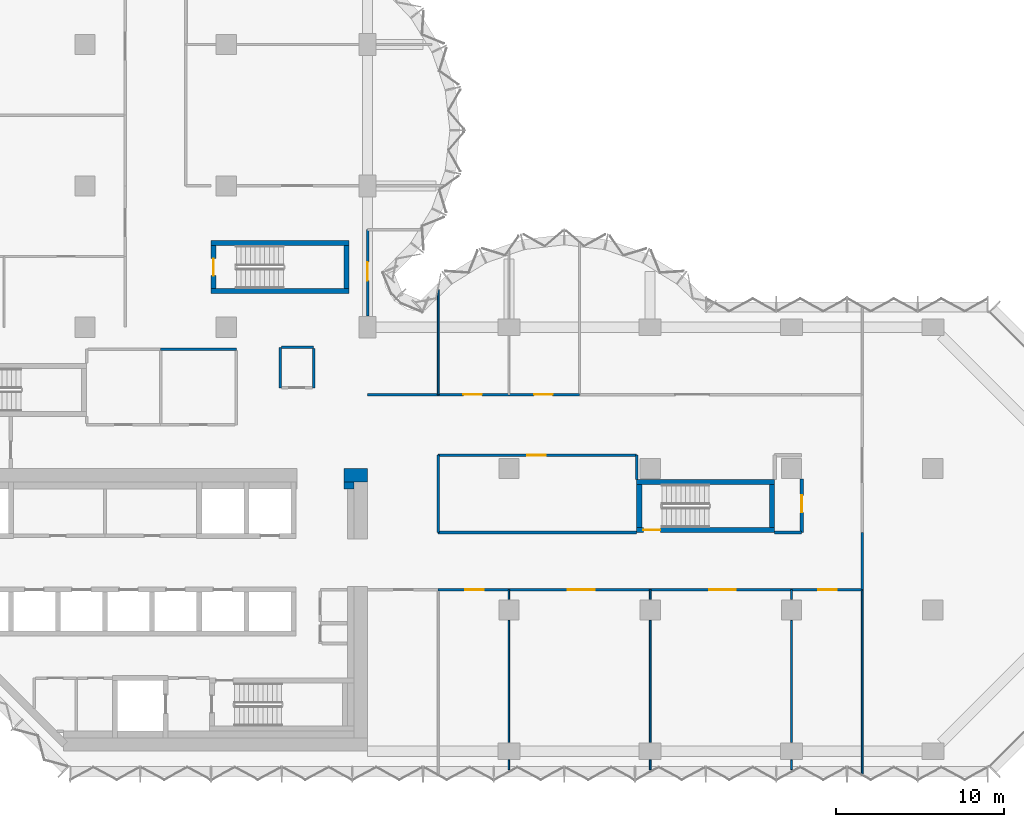
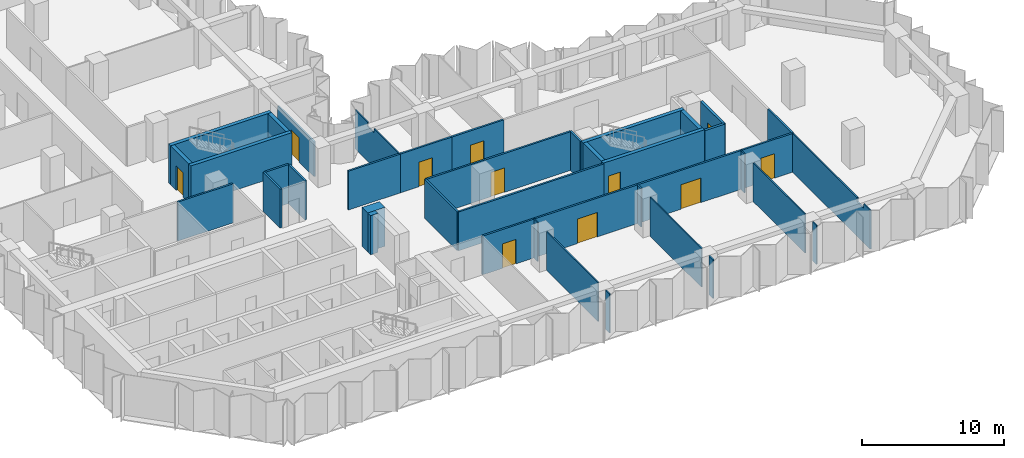
# One storey, part 9 of 13: 40 walls, 11 doors, 11 openings.
"""IFC4 building model written with IfcOpenShell, lengths in metres."""

from ifc_helpers import new_model, si_unit, direction, frame, frame_2d, origin, place, context, subcontext, project, spatial, polyline, rectangle, outline, extrude, material, layer, layer_set, type_object, element, fill, save


model = new_model("IFC4")

# Units and contexts
model_context = context("Model", 3, precision=1e-05, world=origin(), true_north=direction((0.0, 1.0)))
body_context = subcontext(model_context, "Body", "Model", "MODEL_VIEW")
ifc_project = project(units=[si_unit("LENGTHUNIT", "METRE"), si_unit("AREAUNIT", "SQUARE_METRE"), si_unit("VOLUMEUNIT", "CUBIC_METRE"), si_unit("PLANEANGLEUNIT", "RADIAN"), si_unit("MASSUNIT", "GRAM", prefix="KILO")], contexts=[model_context])

# Site, building, storey
site_placement = place(None, origin())
site = spatial("IfcSite", under=ifc_project, at=site_placement, CompositionType="ELEMENT")
building_placement = place(site_placement, origin())
building = spatial("IfcBuilding", under=site, at=building_placement, Name="Brevane Broadcast Tower", CompositionType="ELEMENT")
storey_placement = place(building_placement, frame((0.0, 0.0, 116.89990234375)))
storey = spatial("IfcBuildingStorey", under=building, at=storey_placement, Name="L28", CompositionType="ELEMENT", Elevation=116.89990234375)

# Walls
ifc_material_1 = material(Name="Concrete C32/40", Category="concrete")
ifc_layer_1 = layer(ifc_material_1, 0.39990234375)
ifc_layer_set_1 = layer_set([ifc_layer_1], Name="Core chase wall 400 mm")
wall_type_1 = type_object("IfcWallType", Name="Core chase wall 400 mm", PredefinedType="PARTITIONING", material=ifc_layer_set_1)
wall_1_placement = place(storey_placement, frame((23.800048828125, 15.800048828125, 0.0), z_axis=(0.0, 0.0, 1.0), x_axis=(1.0, 0.0, 0.0)))
element("IfcWall", 1, at=wall_1_placement, inside=storey, type_object=wall_type_1, Name="L28 chase wall LN2", PredefinedType="PARTITIONING", context=body_context, shape_type="SweptSolid", body=[
    extrude(rectangle(XDim=0.599853515625, YDim=0.39990234375, at=frame_2d((0.2998046875, 0.0))), origin(), (0.0, 0.0, 1.0), 3.35009765625),
])
ifc_material_2 = material(Name="Gypsum board on steel studs", Category="steel")
ifc_layer_2 = layer(ifc_material_2, 0.14990234375)
ifc_layer_set_2 = layer_set([ifc_layer_2], Name="Core fire partition 150 mm")
wall_type_2 = type_object("IfcWallType", Name="Core fire partition 150 mm", PredefinedType="PARTITIONING", material=ifc_layer_set_2)
wall_2_placement = place(storey_placement, frame((12.89990234375, 23.89990234375, 0.0), z_axis=(0.0, 0.0, 1.0), x_axis=(1.0, 0.0, 0.0)))
element("IfcWall", 2, at=wall_2_placement, inside=storey, type_object=wall_type_2, Name="L28 partition wall P19", PredefinedType="PARTITIONING", context=body_context, shape_type="SweptSolid", body=[
    extrude(rectangle(XDim=4.5, YDim=0.14990234375, at=frame_2d((2.25, 0.0))), origin(), (0.0, 0.0, 1.0), 3.35009765625),
])
wall_3_placement = place(storey_placement, frame((20.0, 21.60009765625, 0.0), z_axis=(0.0, 0.0, 1.0), x_axis=(0.0, 1.0, 0.0)))
element("IfcWall", 3, at=wall_3_placement, inside=storey, type_object=wall_type_2, Name="L28 partition wall P25", PredefinedType="PARTITIONING", context=body_context, shape_type="SweptSolid", body=[
    extrude(rectangle(XDim=2.39990234375, YDim=0.14990234375, at=frame_2d((1.199951171875, 0.0))), origin(), (0.0, 0.0, 1.0), 3.35009765625),
])
wall_4_placement = place(storey_placement, frame((20.074951171875, 24.0, 0.0), z_axis=(0.0, 0.0, 1.0), x_axis=(1.0, 0.0, 0.0)))
element("IfcWall", 4, at=wall_4_placement, inside=storey, type_object=wall_type_2, Name="L28 partition wall P26", PredefinedType="PARTITIONING", context=body_context, shape_type="SweptSolid", body=[
    extrude(rectangle(XDim=1.925048828125, YDim=0.14990234375, at=frame_2d((0.96240234375, 0.0))), origin(), (0.0, 0.0, 1.0), 3.35009765625),
])
wall_5_placement = place(storey_placement, frame((22.0, 23.925048828125, 0.0), z_axis=(0.0, 0.0, 1.0), x_axis=(0.0, -1.0, 0.0)))
element("IfcWall", 5, at=wall_5_placement, inside=storey, type_object=wall_type_2, Name="L28 partition wall P27", PredefinedType="PARTITIONING", context=body_context, shape_type="SweptSolid", body=[
    extrude(rectangle(XDim=2.324951171875, YDim=0.14990234375, at=frame_2d((1.16259765625, 0.0))), origin(), (0.0, 0.0, 1.0), 3.35009765625),
])
ifc_material_3 = material(Name="Concrete C60/75", Category="concrete")
ifc_layer_3 = layer(ifc_material_3, 0.300048828125)
ifc_layer_set_3 = layer_set([ifc_layer_3], Name="Core wall 300 mm C60/75")
wall_type_3 = type_object("IfcWallType", Name="Core wall 300 mm C60/75", PredefinedType="SHEAR", material=ifc_layer_set_3)
for number, where, z_axis, x_axis, name in (
    (6, (15.89990234375, 27.35009765625, 0.0), (0.0, 0.0, 1.0), (1.0, 0.0, 0.0), "L28 stair wall ST-3-S"),
    (7, (15.89990234375, 30.199951171875, 0.0), (0.0, 0.0, 1.0), (1.0, 0.0, 0.0), "L28 stair wall ST-3-N"),
):
    element("IfcWall", number, at=place(storey_placement, frame(where, z_axis=z_axis, x_axis=x_axis)), inside=storey, type_object=wall_type_3, Name=name, PredefinedType="SHEAR", context=body_context, shape_type="SweptSolid", body=[
        extrude(rectangle(XDim=8.2001953125, YDim=0.300048828125, at=frame_2d((4.10009765625, 0.0))), origin(), (0.0, 0.0, 1.0), 3.35009765625),
    ])

# Wall, opening, door
wall_6_placement = place(storey_placement, frame((16.050048828125, 27.5, 0.0), z_axis=(0.0, 0.0, 1.0), x_axis=(0.0, 1.0, 0.0)))
wall_6 = element("IfcWall", 8, at=wall_6_placement, inside=storey, type_object=wall_type_3, Name="L28 stair wall ST-3-W", PredefinedType="SHEAR", context=body_context, shape_type="SweptSolid", body=[
    extrude(rectangle(XDim=2.550048828125, YDim=0.300048828125, at=frame_2d((1.27490234375, 0.0))), origin(), (0.0, 0.0, 1.0), 3.35009765625),
])
opening_1_placement = place(wall_6_placement, frame((0.77490234375, 0.0, 0.0)))
opening_1 = element("IfcOpeningElement", 9, at=opening_1_placement, cuts=wall_6, Name="Opening L28-K14", PredefinedType="OPENING", context=body_context, shape_type="SweptSolid", body=[
    extrude(rectangle(XDim=1.0, YDim=2.10009765625, at=frame_2d((0.5, 1.050048828125))), frame((0.0, 0.159912109375, 0.0), z_axis=(0.0, -1.0, 0.0), x_axis=(1.0, 0.0, 0.0)), (0.0, 0.0, 1.0), 0.320068359375),
])
ifc_material_4 = material(Name="Steel", Category="steel")
door_type_1 = type_object("IfcDoorType", Name="Stair door 1000 x 2100", OperationType="SINGLE_SWING_LEFT", PredefinedType="DOOR", material=ifc_material_4)
door_1_placement = place(opening_1_placement, origin())
door_1 = element("IfcDoor", 10, at=door_1_placement, inside=storey, type_object=door_type_1, Name="Door L28-K14", OperationType="SINGLE_SWING_RIGHT", OverallHeight=2.10009765625, OverallWidth=1.0, PredefinedType="DOOR", context=body_context, shape_type="SweptSolid", body=[
    extrude(rectangle(XDim=1.0, YDim=2.10009765625, at=frame_2d((0.5, 1.050048828125))), frame((0.0, 0.02490234375, 0.0), z_axis=(0.0, -1.0, 0.0), x_axis=(1.0, 0.0, 0.0)), (0.0, 0.0, 1.0), 0.050048828125),
])
fill(opening_1, door_1)

# Wall
wall_7_placement = place(storey_placement, frame((23.949951171875, 27.5, 0.0), z_axis=(0.0, 0.0, 1.0), x_axis=(0.0, 1.0, 0.0)))
element("IfcWall", 11, at=wall_7_placement, inside=storey, type_object=wall_type_3, Name="L28 stair wall ST-3-E", PredefinedType="SHEAR", context=body_context, shape_type="SweptSolid", body=[
    extrude(rectangle(XDim=2.550048828125, YDim=0.300048828125, at=frame_2d((1.27490234375, 0.0))), origin(), (0.0, 0.0, 1.0), 3.35009765625),
])

# Wall, opening, door
wall_8_placement = place(storey_placement, frame((49.39990234375, 13.14990234375, 0.0), z_axis=(0.0, 0.0, 1.0), x_axis=(-1.0, 0.0, 0.0)))
wall_8 = element("IfcWall", 12, at=wall_8_placement, inside=storey, type_object=wall_type_3, Name="L28 stair wall ST-4-S", PredefinedType="SHEAR", context=body_context, shape_type="SweptSolid", body=[
    extrude(rectangle(XDim=8.199951171875, YDim=0.300048828125, at=frame_2d((4.10009765625, 0.0))), origin(), (0.0, 0.0, 1.0), 3.35009765625),
])
opening_2_placement = place(wall_8_placement, frame((6.800048828125, 0.0, 0.0)))
opening_2 = element("IfcOpeningElement", 13, at=opening_2_placement, cuts=wall_8, Name="Opening L28-K15", PredefinedType="OPENING", context=body_context, shape_type="SweptSolid", body=[
    extrude(rectangle(XDim=1.0, YDim=2.10009765625, at=frame_2d((0.5, 1.050048828125))), frame((0.0, 0.159912109375, 0.0), z_axis=(0.0, -1.0, 0.0), x_axis=(1.0, 0.0, 0.0)), (0.0, 0.0, 1.0), 0.320068359375),
])
door_2_placement = place(opening_2_placement, origin())
door_2 = element("IfcDoor", 14, at=door_2_placement, inside=storey, type_object=door_type_1, Name="Door L28-K15", OperationType="SINGLE_SWING_LEFT", OverallHeight=2.10009765625, OverallWidth=1.0, PredefinedType="DOOR", context=body_context, shape_type="SweptSolid", body=[
    extrude(rectangle(XDim=1.0, YDim=2.10009765625, at=frame_2d((0.5, 1.050048828125))), frame((0.0, 0.02490234375, 0.0), z_axis=(0.0, -1.0, 0.0), x_axis=(1.0, 0.0, 0.0)), (0.0, 0.0, 1.0), 0.050048828125),
])
fill(opening_2, door_2)

# Walls
wall_9_placement = place(storey_placement, frame((41.199951171875, 16.0, 0.0), z_axis=(0.0, 0.0, 1.0), x_axis=(1.0, 0.0, 0.0)))
element("IfcWall", 15, at=wall_9_placement, inside=storey, type_object=wall_type_3, Name="L28 stair wall ST-4-N", PredefinedType="SHEAR", context=body_context, shape_type="SweptSolid", body=[
    extrude(rectangle(XDim=8.199951171875, YDim=0.300048828125, at=frame_2d((4.10009765625, 0.0))), origin(), (0.0, 0.0, 1.0), 3.35009765625),
])
for number, where, z_axis, x_axis, name in (
    (16, (41.35009765625, 13.300048828125, 0.0), (0.0, 0.0, 1.0), (0.0, 1.0, 0.0), "L28 stair wall ST-4-W"),
    (17, (49.25, 13.300048828125, 0.0), (0.0, 0.0, 1.0), (0.0, 1.0, 0.0), "L28 stair wall ST-4-E"),
):
    element("IfcWall", number, at=place(storey_placement, frame(where, z_axis=z_axis, x_axis=x_axis)), inside=storey, type_object=wall_type_3, Name=name, PredefinedType="SHEAR", context=body_context, shape_type="SweptSolid", body=[
        extrude(rectangle(XDim=2.550048828125, YDim=0.300048828125, at=frame_2d((1.27490234375, 0.0))), origin(), (0.0, 0.0, 1.0), 3.35009765625),
    ])
ifc_layer_4 = layer(ifc_material_3, 0.800048828125)
ifc_layer_set_4 = layer_set([ifc_layer_4], Name="Core wall 800 mm C60/75")
wall_type_4 = type_object("IfcWallType", Name="Core wall 800 mm C60/75", PredefinedType="SHEAR", material=ifc_layer_set_4)
wall_10_placement = place(storey_placement, frame((23.800048828125, 16.39990234375, 0.0), z_axis=(0.0, 0.0, 1.0), x_axis=(1.0, 0.0, 0.0)))
element("IfcWall", 18, at=wall_10_placement, inside=storey, type_object=wall_type_4, Name="L28 outer wall WN2", PredefinedType="SHEAR", context=body_context, shape_type="SweptSolid", body=[
    extrude(rectangle(XDim=1.39990234375, YDim=0.800048828125, at=frame_2d((0.699951171875, 0.0))), origin(), (0.0, 0.0, 1.0), 3.35009765625),
])
ifc_material_5 = material(Name="Gypsum board partition")
ifc_layer_5 = layer(ifc_material_5, 0.10009765625)
ifc_layer_set_5 = layer_set([ifc_layer_5], Name="PARTITION 100 STUD")
wall_type_5 = type_object("IfcWallType", Name="PARTITION 100 STUD", PredefinedType="PARTITIONING", material=ifc_layer_set_5)
wall_11_placement = place(storey_placement, frame((29.39990234375, 27.428955078125, 0.0), z_axis=(0.0, 0.0, 1.0), x_axis=(0.0, -1.0, 0.0)))
element("IfcWall", 19, at=wall_11_placement, inside=storey, type_object=wall_type_5, Name="Partition G08-004", PredefinedType="PARTITIONING", context=body_context, shape_type="SweptSolid", body=[
    extrude(outline(polyline([(0.0, 0.0), (6.22900390625, 0.0), (6.22900390625, 3.330078125), (2.678955078125, 3.330078125), (2.677001953125, 2.97998046875), (1.781005859375, 2.97998046875), (1.779052734375, 3.330078125), (0.154052734375, 3.330078125), (0.0, 3.330078125), (0.0, 0.0)])), frame((0.0, 0.050048828125, 0.0), z_axis=(0.0, -1.0, 0.0), x_axis=(1.0, 0.0, 0.0)), (0.0, 0.0, 1.0), 0.10009765625),
])
wall_12_placement = place(storey_placement, frame((54.60009765625, -1.364990234375, 0.0), z_axis=(0.0, 0.0, 1.0), x_axis=(0.0, 1.0, 0.0)))
element("IfcWall", 20, at=wall_12_placement, inside=storey, type_object=wall_type_5, Name="Partition G08-015", PredefinedType="PARTITIONING", context=body_context, shape_type="SweptSolid", body=[
    extrude(outline(polyline([(0.0, 0.0), (10.965087890625, 0.0), (10.965087890625, 3.330078125), (1.81494140625, 3.330078125), (1.81298828125, 2.97998046875), (0.9169921875, 2.97998046875), (0.9150390625, 3.330078125), (0.264892578125, 3.330078125), (0.0, 3.330078125), (0.0, 0.0)])), frame((0.0, 0.050048828125, 0.0), z_axis=(0.0, -1.0, 0.0), x_axis=(1.0, 0.0, 0.0)), (0.0, 0.0, 1.0), 0.10009765625),
])
wall_13_placement = place(storey_placement, frame((33.60009765625, 9.60009765625, 0.0), z_axis=(0.0, 0.0, 1.0), x_axis=(0.0, -1.0, 0.0)))
element("IfcWall", 21, at=wall_13_placement, inside=storey, type_object=wall_type_5, Name="Partition G08-027", PredefinedType="PARTITIONING", context=body_context, shape_type="SweptSolid", body=[
    extrude(rectangle(XDim=0.580078125, YDim=0.10009765625, at=frame_2d((0.2900390625, 0.0))), origin(), (0.0, 0.0, 1.0), 3.330078125),
])
wall_14_placement = place(storey_placement, frame((33.60009765625, 7.780029296875, 0.0), z_axis=(0.0, 0.0, 1.0), x_axis=(0.0, -1.0, 0.0)))
element("IfcWall", 22, at=wall_14_placement, inside=storey, type_object=wall_type_5, Name="Partition G08-028", PredefinedType="PARTITIONING", context=body_context, shape_type="SweptSolid", body=[
    extrude(rectangle(XDim=7.260009765625, YDim=0.10009765625, at=frame_2d((3.6298828125, 0.0))), origin(), (0.0, 0.0, 1.0), 3.330078125),
])
for number, where, z_axis, x_axis, name in (
    (23, (33.60009765625, -0.52001953125, 0.0), (0.0, 0.0, 1.0), (0.0, -1.0, 0.0), "Partition G08-029"),
    (24, (42.0, 9.60009765625, 0.0), (0.0, 0.0, 1.0), (0.0, -1.0, 0.0), "Partition G08-030"),
):
    element("IfcWall", number, at=place(storey_placement, frame(where, z_axis=z_axis, x_axis=x_axis)), inside=storey, type_object=wall_type_5, Name=name, PredefinedType="PARTITIONING", context=body_context, shape_type="SweptSolid", body=[
        extrude(rectangle(XDim=0.580078125, YDim=0.10009765625, at=frame_2d((0.2900390625, 0.0))), origin(), (0.0, 0.0, 1.0), 3.330078125),
    ])
wall_15_placement = place(storey_placement, frame((42.0, 7.780029296875, 0.0), z_axis=(0.0, 0.0, 1.0), x_axis=(0.0, -1.0, 0.0)))
element("IfcWall", 25, at=wall_15_placement, inside=storey, type_object=wall_type_5, Name="Partition G08-031", PredefinedType="PARTITIONING", context=body_context, shape_type="SweptSolid", body=[
    extrude(rectangle(XDim=7.260009765625, YDim=0.10009765625, at=frame_2d((3.6298828125, 0.0))), origin(), (0.0, 0.0, 1.0), 3.330078125),
])
for number, where, z_axis, x_axis, name in (
    (26, (42.0, -0.52001953125, 0.0), (0.0, 0.0, 1.0), (0.0, -1.0, 0.0), "Partition G08-032"),
    (27, (50.39990234375, 9.60009765625, 0.0), (0.0, 0.0, 1.0), (0.0, -1.0, 0.0), "Partition G08-033"),
):
    element("IfcWall", number, at=place(storey_placement, frame(where, z_axis=z_axis, x_axis=x_axis)), inside=storey, type_object=wall_type_5, Name=name, PredefinedType="PARTITIONING", context=body_context, shape_type="SweptSolid", body=[
        extrude(rectangle(XDim=0.580078125, YDim=0.10009765625, at=frame_2d((0.2900390625, 0.0))), origin(), (0.0, 0.0, 1.0), 3.330078125),
    ])
wall_16_placement = place(storey_placement, frame((50.39990234375, 7.780029296875, 0.0), z_axis=(0.0, 0.0, 1.0), x_axis=(0.0, -1.0, 0.0)))
element("IfcWall", 28, at=wall_16_placement, inside=storey, type_object=wall_type_5, Name="Partition G08-034", PredefinedType="PARTITIONING", context=body_context, shape_type="SweptSolid", body=[
    extrude(rectangle(XDim=7.260009765625, YDim=0.10009765625, at=frame_2d((3.6298828125, 0.0))), origin(), (0.0, 0.0, 1.0), 3.330078125),
])
wall_17_placement = place(storey_placement, frame((50.39990234375, -0.52001953125, 0.0), z_axis=(0.0, 0.0, 1.0), x_axis=(0.0, -1.0, 0.0)))
element("IfcWall", 29, at=wall_17_placement, inside=storey, type_object=wall_type_5, Name="Partition G08-035", PredefinedType="PARTITIONING", context=body_context, shape_type="SweptSolid", body=[
    extrude(rectangle(XDim=0.580078125, YDim=0.10009765625, at=frame_2d((0.2900390625, 0.0))), origin(), (0.0, 0.0, 1.0), 3.330078125),
])
ifc_layer_6 = layer(ifc_material_5, 0.14990234375)
ifc_layer_set_6 = layer_set([ifc_layer_6], Name="PARTITION 150 EI 60")
wall_type_6 = type_object("IfcWallType", Name="PARTITION 150 EI 60", PredefinedType="PARTITIONING", material=ifc_layer_set_6)
wall_18_placement = place(storey_placement, frame((25.199951171875, 21.199951171875, 0.0), z_axis=(0.0, 0.0, 1.0), x_axis=(1.0, 0.0, 0.0)))
element("IfcWall", 30, at=wall_18_placement, inside=storey, type_object=wall_type_6, Name="Partition G08-001", PredefinedType="PARTITIONING", context=body_context, shape_type="SweptSolid", body=[
    extrude(rectangle(XDim=4.199951171875, YDim=0.14990234375, at=frame_2d((2.10009765625, 0.0))), origin(), (0.0, 0.0, 1.0), 3.330078125),
])
wall_19_placement = place(storey_placement, frame((29.39990234375, 17.60009765625, 0.0), z_axis=(0.0, 0.0, 1.0), x_axis=(0.0, -1.0, 0.0)))
element("IfcWall", 31, at=wall_19_placement, inside=storey, type_object=wall_type_6, Name="Partition G08-002", PredefinedType="PARTITIONING", context=body_context, shape_type="SweptSolid", body=[
    extrude(rectangle(XDim=4.60009765625, YDim=0.14990234375, at=frame_2d((2.300048828125, 0.0))), origin(), (0.0, 0.0, 1.0), 3.330078125),
])

# Wall, opening, door
wall_20_placement = place(storey_placement, frame((25.199951171875, 31.0, 0.0), z_axis=(0.0, 0.0, 1.0), x_axis=(0.0, -1.0, 0.0)))
wall_20 = element("IfcWall", 32, at=wall_20_placement, inside=storey, type_object=wall_type_6, Name="Partition G08-005", PredefinedType="PARTITIONING", context=body_context, shape_type="SweptSolid", body=[
    extrude(outline(polyline([(0.0, 0.0), (5.1298828125, 0.0), (5.1298828125, 2.97998046875), (0.0, 2.97998046875), (0.0, 0.0)])), frame((0.0, 0.074951171875, 0.0), z_axis=(0.0, -1.0, 0.0), x_axis=(1.0, 0.0, 0.0)), (0.0, 0.0, 1.0), 0.14990234375),
])
opening_3_placement = place(wall_20_placement, frame((1.929931640625, 0.0, 0.0)))
opening_3 = element("IfcOpeningElement", 33, at=opening_3_placement, cuts=wall_20, Name="Opening D15-001", PredefinedType="OPENING", context=body_context, shape_type="SweptSolid", body=[
    extrude(rectangle(XDim=1.10009765625, YDim=2.10009765625, at=frame_2d((0.550048828125, 1.050048828125))), frame((0.0, 0.0849609375, 0.0), z_axis=(0.0, -1.0, 0.0), x_axis=(1.0, 0.0, 0.0)), (0.0, 0.0, 1.0), 0.169921875),
])
ifc_material_6 = material(Name="Fire-rated timber door leaf", Category="wood")
door_type_2 = type_object("IfcDoorType", Name="DOOR SINGLE 1100 FD30S", OperationType="SINGLE_SWING_LEFT", PredefinedType="DOOR", material=ifc_material_6)
door_3_placement = place(opening_3_placement, origin())
door_3 = element("IfcDoor", 34, at=door_3_placement, inside=storey, type_object=door_type_2, Name="Door D15-001", OperationType="SINGLE_SWING_RIGHT", OverallHeight=2.10009765625, OverallWidth=1.10009765625, PredefinedType="DOOR", context=body_context, shape_type="SweptSolid", body=[
    extrude(rectangle(XDim=1.10009765625, YDim=2.10009765625, at=frame_2d((0.550048828125, 1.050048828125))), frame((0.0, 0.02490234375, 0.0), z_axis=(0.0, -1.0, 0.0), x_axis=(1.0, 0.0, 0.0)), (0.0, 0.0, 1.0), 0.050048828125),
])
fill(opening_3, door_3)

# Walls
wall_21_placement = place(storey_placement, frame((54.60009765625, 13.0, 0.0), z_axis=(0.0, 0.0, 1.0), x_axis=(0.0, -1.0, 0.0)))
element("IfcWall", 35, at=wall_21_placement, inside=storey, type_object=wall_type_6, Name="Partition G08-007", PredefinedType="PARTITIONING", context=body_context, shape_type="SweptSolid", body=[
    extrude(rectangle(XDim=3.39990234375, YDim=0.14990234375, at=frame_2d((1.699951171875, 0.0))), origin(), (0.0, 0.0, 1.0), 3.330078125),
])
wall_22_placement = place(storey_placement, frame((29.39990234375, 13.0, 0.0), z_axis=(0.0, 0.0, 1.0), x_axis=(1.0, 0.0, 0.0)))
element("IfcWall", 36, at=wall_22_placement, inside=storey, type_object=wall_type_6, Name="Partition G08-008", PredefinedType="PARTITIONING", context=body_context, shape_type="SweptSolid", body=[
    extrude(rectangle(XDim=11.800048828125, YDim=0.14990234375, at=frame_2d((5.89990234375, 0.0))), origin(), (0.0, 0.0, 1.0), 3.330078125),
])

# Wall, opening, door
wall_23_placement = place(storey_placement, frame((33.60009765625, 9.60009765625, 0.0), z_axis=(0.0, 0.0, 1.0), x_axis=(-1.0, 0.0, 0.0)))
wall_23 = element("IfcWall", 37, at=wall_23_placement, inside=storey, type_object=wall_type_6, Name="Partition G08-010", PredefinedType="PARTITIONING", context=body_context, shape_type="SweptSolid", body=[
    extrude(rectangle(XDim=4.2001953125, YDim=0.14990234375, at=frame_2d((2.10009765625, 0.0))), origin(), (0.0, 0.0, 1.0), 3.330078125),
])
opening_4_placement = place(wall_23_placement, frame((1.5, 0.0, 0.0)))
opening_4 = element("IfcOpeningElement", 38, at=opening_4_placement, cuts=wall_23, Name="Opening D15-006", PredefinedType="OPENING", context=body_context, shape_type="SweptSolid", body=[
    extrude(rectangle(XDim=1.10009765625, YDim=2.10009765625, at=frame_2d((0.550048828125, 1.050048828125))), frame((0.0, 0.0849609375, 0.0), z_axis=(0.0, -1.0, 0.0), x_axis=(1.0, 0.0, 0.0)), (0.0, 0.0, 1.0), 0.169921875),
])
door_4_placement = place(opening_4_placement, origin())
door_4 = element("IfcDoor", 39, at=door_4_placement, inside=storey, type_object=door_type_2, Name="Door D15-006", OperationType="SINGLE_SWING_LEFT", OverallHeight=2.10009765625, OverallWidth=1.10009765625, PredefinedType="DOOR", context=body_context, shape_type="SweptSolid", body=[
    extrude(rectangle(XDim=1.10009765625, YDim=2.10009765625, at=frame_2d((0.550048828125, 1.050048828125))), frame((0.0, 0.02490234375, 0.0), z_axis=(0.0, -1.0, 0.0), x_axis=(1.0, 0.0, 0.0)), (0.0, 0.0, 1.0), 0.050048828125),
])
fill(opening_4, door_4)

wall_24_placement = place(storey_placement, frame((42.0, 9.60009765625, 0.0), z_axis=(0.0, 0.0, 1.0), x_axis=(-1.0, 0.0, 0.0)))
wall_24 = element("IfcWall", 40, at=wall_24_placement, inside=storey, type_object=wall_type_6, Name="Partition G08-011", PredefinedType="PARTITIONING", context=body_context, shape_type="SweptSolid", body=[
    extrude(rectangle(XDim=8.39990234375, YDim=0.14990234375, at=frame_2d((4.199951171875, 0.0))), origin(), (0.0, 0.0, 1.0), 3.330078125),
])
opening_5_placement = place(wall_24_placement, frame((3.300048828125, 0.0, 0.0)))
opening_5 = element("IfcOpeningElement", 41, at=opening_5_placement, cuts=wall_24, Name="Opening D15-007", PredefinedType="OPENING", context=body_context, shape_type="SweptSolid", body=[
    extrude(rectangle(XDim=1.60009765625, YDim=2.10009765625, at=frame_2d((0.800048828125, 1.050048828125))), frame((0.0, 0.0849609375, 0.0), z_axis=(0.0, -1.0, 0.0), x_axis=(1.0, 0.0, 0.0)), (0.0, 0.0, 1.0), 0.169921875),
])
door_type_3 = type_object("IfcDoorType", Name="DOOR DOUBLE 1600 FD30S", OperationType="DOUBLE_DOOR_SINGLE_SWING", PredefinedType="DOOR", material=ifc_material_6)
door_5_placement = place(opening_5_placement, origin())
door_5 = element("IfcDoor", 42, at=door_5_placement, inside=storey, type_object=door_type_3, Name="Door D15-007", OperationType="DOUBLE_DOOR_SINGLE_SWING", OverallHeight=2.10009765625, OverallWidth=1.60009765625, PredefinedType="DOOR", context=body_context, shape_type="SweptSolid", body=[
    extrude(rectangle(XDim=1.60009765625, YDim=2.10009765625, at=frame_2d((0.800048828125, 1.050048828125))), frame((0.0, 0.02490234375, 0.0), z_axis=(0.0, -1.0, 0.0), x_axis=(1.0, 0.0, 0.0)), (0.0, 0.0, 1.0), 0.050048828125),
])
fill(opening_5, door_5)

wall_25_placement = place(storey_placement, frame((50.39990234375, 9.60009765625, 0.0), z_axis=(0.0, 0.0, 1.0), x_axis=(-1.0, 0.0, 0.0)))
wall_25 = element("IfcWall", 43, at=wall_25_placement, inside=storey, type_object=wall_type_6, Name="Partition G08-012", PredefinedType="PARTITIONING", context=body_context, shape_type="SweptSolid", body=[
    extrude(rectangle(XDim=8.39990234375, YDim=0.14990234375, at=frame_2d((4.199951171875, 0.0))), origin(), (0.0, 0.0, 1.0), 3.330078125),
])
opening_6_placement = place(wall_25_placement, frame((3.300048828125, 0.0, 0.0)))
opening_6 = element("IfcOpeningElement", 44, at=opening_6_placement, cuts=wall_25, Name="Opening D15-008", PredefinedType="OPENING", context=body_context, shape_type="SweptSolid", body=[
    extrude(rectangle(XDim=1.60009765625, YDim=2.10009765625, at=frame_2d((0.800048828125, 1.050048828125))), frame((0.0, 0.0849609375, 0.0), z_axis=(0.0, -1.0, 0.0), x_axis=(1.0, 0.0, 0.0)), (0.0, 0.0, 1.0), 0.169921875),
])
door_6_placement = place(opening_6_placement, origin())
door_6 = element("IfcDoor", 45, at=door_6_placement, inside=storey, type_object=door_type_3, Name="Door D15-008", OperationType="DOUBLE_DOOR_SINGLE_SWING", OverallHeight=2.10009765625, OverallWidth=1.60009765625, PredefinedType="DOOR", context=body_context, shape_type="SweptSolid", body=[
    extrude(rectangle(XDim=1.60009765625, YDim=2.10009765625, at=frame_2d((0.800048828125, 1.050048828125))), frame((0.0, 0.02490234375, 0.0), z_axis=(0.0, -1.0, 0.0), x_axis=(1.0, 0.0, 0.0)), (0.0, 0.0, 1.0), 0.050048828125),
])
fill(opening_6, door_6)

wall_26_placement = place(storey_placement, frame((54.60009765625, 9.60009765625, 0.0), z_axis=(0.0, 0.0, 1.0), x_axis=(-1.0, 0.0, 0.0)))
wall_26 = element("IfcWall", 46, at=wall_26_placement, inside=storey, type_object=wall_type_6, Name="Partition G08-013", PredefinedType="PARTITIONING", context=body_context, shape_type="SweptSolid", body=[
    extrude(rectangle(XDim=4.2001953125, YDim=0.14990234375, at=frame_2d((2.10009765625, 0.0))), origin(), (0.0, 0.0, 1.0), 3.330078125),
])
opening_7_placement = place(wall_26_placement, frame((1.5, 0.0, 0.0)))
opening_7 = element("IfcOpeningElement", 47, at=opening_7_placement, cuts=wall_26, Name="Opening D15-009", PredefinedType="OPENING", context=body_context, shape_type="SweptSolid", body=[
    extrude(rectangle(XDim=1.10009765625, YDim=2.10009765625, at=frame_2d((0.550048828125, 1.050048828125))), frame((0.0, 0.0849609375, 0.0), z_axis=(0.0, -1.0, 0.0), x_axis=(1.0, 0.0, 0.0)), (0.0, 0.0, 1.0), 0.169921875),
])
door_7_placement = place(opening_7_placement, origin())
door_7 = element("IfcDoor", 48, at=door_7_placement, inside=storey, type_object=door_type_2, Name="Door D15-009", OperationType="SINGLE_SWING_LEFT", OverallHeight=2.10009765625, OverallWidth=1.10009765625, PredefinedType="DOOR", context=body_context, shape_type="SweptSolid", body=[
    extrude(rectangle(XDim=1.10009765625, YDim=2.10009765625, at=frame_2d((0.550048828125, 1.050048828125))), frame((0.0, 0.02490234375, 0.0), z_axis=(0.0, -1.0, 0.0), x_axis=(1.0, 0.0, 0.0)), (0.0, 0.0, 1.0), 0.050048828125),
])
fill(opening_7, door_7)

# Wall
wall_27_placement = place(storey_placement, frame((41.199951171875, 16.14990234375, 0.0), z_axis=(0.0, 0.0, 1.0), x_axis=(0.0, 1.0, 0.0)))
element("IfcWall", 49, at=wall_27_placement, inside=storey, type_object=wall_type_6, Name="Partition G08-017", PredefinedType="PARTITIONING", context=body_context, shape_type="SweptSolid", body=[
    extrude(rectangle(XDim=1.4501953125, YDim=0.14990234375, at=frame_2d((0.72509765625, 0.0))), origin(), (0.0, 0.0, 1.0), 3.330078125),
])

# Wall, opening, door
wall_28_placement = place(storey_placement, frame((41.199951171875, 17.60009765625, 0.0), z_axis=(0.0, 0.0, 1.0), x_axis=(-1.0, 0.0, 0.0)))
wall_28 = element("IfcWall", 50, at=wall_28_placement, inside=storey, type_object=wall_type_6, Name="Partition G08-018", PredefinedType="PARTITIONING", context=body_context, shape_type="SweptSolid", body=[
    extrude(rectangle(XDim=11.800048828125, YDim=0.14990234375, at=frame_2d((5.89990234375, 0.0))), origin(), (0.0, 0.0, 1.0), 3.330078125),
])
opening_8_placement = place(wall_28_placement, frame((5.39990234375, 0.0, 0.0)))
opening_8 = element("IfcOpeningElement", 51, at=opening_8_placement, cuts=wall_28, Name="Opening D15-003", PredefinedType="OPENING", context=body_context, shape_type="SweptSolid", body=[
    extrude(rectangle(XDim=1.10009765625, YDim=2.10009765625, at=frame_2d((0.550048828125, 1.050048828125))), frame((0.0, 0.0849609375, 0.0), z_axis=(0.0, -1.0, 0.0), x_axis=(1.0, 0.0, 0.0)), (0.0, 0.0, 1.0), 0.169921875),
])
door_8_placement = place(opening_8_placement, origin())
door_8 = element("IfcDoor", 52, at=door_8_placement, inside=storey, type_object=door_type_2, Name="Door D15-003", OperationType="SINGLE_SWING_LEFT", OverallHeight=2.10009765625, OverallWidth=1.10009765625, PredefinedType="DOOR", context=body_context, shape_type="SweptSolid", body=[
    extrude(rectangle(XDim=1.10009765625, YDim=2.10009765625, at=frame_2d((0.550048828125, 1.050048828125))), frame((0.0, 0.02490234375, 0.0), z_axis=(0.0, -1.0, 0.0), x_axis=(1.0, 0.0, 0.0)), (0.0, 0.0, 1.0), 0.050048828125),
])
fill(opening_8, door_8)

wall_29_placement = place(storey_placement, frame((29.39990234375, 21.199951171875, 0.0), z_axis=(0.0, 0.0, 1.0), x_axis=(1.0, 0.0, 0.0)))
wall_29 = element("IfcWall", 53, at=wall_29_placement, inside=storey, type_object=wall_type_6, Name="Partition G08-021", PredefinedType="PARTITIONING", context=body_context, shape_type="SweptSolid", body=[
    extrude(rectangle(XDim=4.2001953125, YDim=0.14990234375, at=frame_2d((2.10009765625, 0.0))), origin(), (0.0, 0.0, 1.0), 3.330078125),
])
opening_9_placement = place(wall_29_placement, frame((1.5, 0.0, 0.0)))
opening_9 = element("IfcOpeningElement", 54, at=opening_9_placement, cuts=wall_29, Name="Opening D15-010", PredefinedType="OPENING", context=body_context, shape_type="SweptSolid", body=[
    extrude(rectangle(XDim=1.10009765625, YDim=2.10009765625, at=frame_2d((0.550048828125, 1.050048828125))), frame((0.0, 0.0849609375, 0.0), z_axis=(0.0, -1.0, 0.0), x_axis=(1.0, 0.0, 0.0)), (0.0, 0.0, 1.0), 0.169921875),
])
door_9_placement = place(opening_9_placement, origin())
door_9 = element("IfcDoor", 55, at=door_9_placement, inside=storey, type_object=door_type_2, Name="Door D15-010", OperationType="SINGLE_SWING_LEFT", OverallHeight=2.10009765625, OverallWidth=1.10009765625, PredefinedType="DOOR", context=body_context, shape_type="SweptSolid", body=[
    extrude(rectangle(XDim=1.10009765625, YDim=2.10009765625, at=frame_2d((0.550048828125, 1.050048828125))), frame((0.0, 0.02490234375, 0.0), z_axis=(0.0, -1.0, 0.0), x_axis=(1.0, 0.0, 0.0)), (0.0, 0.0, 1.0), 0.050048828125),
])
fill(opening_9, door_9)

wall_30_placement = place(storey_placement, frame((33.60009765625, 21.199951171875, 0.0), z_axis=(0.0, 0.0, 1.0), x_axis=(1.0, 0.0, 0.0)))
wall_30 = element("IfcWall", 56, at=wall_30_placement, inside=storey, type_object=wall_type_6, Name="Partition G08-022", PredefinedType="PARTITIONING", context=body_context, shape_type="SweptSolid", body=[
    extrude(rectangle(XDim=4.199951171875, YDim=0.14990234375, at=frame_2d((2.10009765625, 0.0))), origin(), (0.0, 0.0, 1.0), 3.330078125),
])
opening_10_placement = place(wall_30_placement, frame((1.5, 0.0, 0.0)))
opening_10 = element("IfcOpeningElement", 57, at=opening_10_placement, cuts=wall_30, Name="Opening D15-011", PredefinedType="OPENING", context=body_context, shape_type="SweptSolid", body=[
    extrude(rectangle(XDim=1.10009765625, YDim=2.10009765625, at=frame_2d((0.550048828125, 1.050048828125))), frame((0.0, 0.0849609375, 0.0), z_axis=(0.0, -1.0, 0.0), x_axis=(1.0, 0.0, 0.0)), (0.0, 0.0, 1.0), 0.169921875),
])
door_10_placement = place(opening_10_placement, origin())
door_10 = element("IfcDoor", 58, at=door_10_placement, inside=storey, type_object=door_type_2, Name="Door D15-011", OperationType="SINGLE_SWING_LEFT", OverallHeight=2.10009765625, OverallWidth=1.10009765625, PredefinedType="DOOR", context=body_context, shape_type="SweptSolid", body=[
    extrude(rectangle(XDim=1.10009765625, YDim=2.10009765625, at=frame_2d((0.550048828125, 1.050048828125))), frame((0.0, 0.02490234375, 0.0), z_axis=(0.0, -1.0, 0.0), x_axis=(1.0, 0.0, 0.0)), (0.0, 0.0, 1.0), 0.050048828125),
])
fill(opening_10, door_10)

# Wall
ifc_layer_7 = layer(ifc_material_5, 0.199951171875)
ifc_layer_set_7 = layer_set([ifc_layer_7], Name="PARTITION 200 EI 120")
wall_type_7 = type_object("IfcWallType", Name="PARTITION 200 EI 120", PredefinedType="PARTITIONING", material=ifc_layer_set_7)
wall_31_placement = place(storey_placement, frame((49.39990234375, 13.0, 0.0), z_axis=(0.0, 0.0, 1.0), x_axis=(1.0, 0.0, 0.0)))
element("IfcWall", 59, at=wall_31_placement, inside=storey, type_object=wall_type_7, Name="Partition G08-009", PredefinedType="PARTITIONING", context=body_context, shape_type="SweptSolid", body=[
    extrude(rectangle(XDim=1.60009765625, YDim=0.199951171875, at=frame_2d((0.800048828125, 0.0))), origin(), (0.0, 0.0, 1.0), 3.330078125),
])

# Wall, opening, door
wall_32_placement = place(storey_placement, frame((51.0, 13.0, 0.0), z_axis=(0.0, 0.0, 1.0), x_axis=(0.0, 1.0, 0.0)))
wall_32 = element("IfcWall", 60, at=wall_32_placement, inside=storey, type_object=wall_type_7, Name="Partition G08-024", PredefinedType="PARTITIONING", context=body_context, shape_type="SweptSolid", body=[
    extrude(rectangle(XDim=3.179931640625, YDim=0.199951171875, at=frame_2d((1.58984375, 0.0))), origin(), (0.0, 0.0, 1.0), 3.330078125),
])
opening_11_placement = place(wall_32_placement, frame((1.199951171875, 0.0, 0.0)))
opening_11 = element("IfcOpeningElement", 61, at=opening_11_placement, cuts=wall_32, Name="Opening D15-004", PredefinedType="OPENING", context=body_context, shape_type="SweptSolid", body=[
    extrude(rectangle(XDim=1.0, YDim=2.10009765625, at=frame_2d((0.5, 1.050048828125))), frame((0.0, 0.10986328125, 0.0), z_axis=(0.0, -1.0, 0.0), x_axis=(1.0, 0.0, 0.0)), (0.0, 0.0, 1.0), 0.219970703125),
])
door_type_4 = type_object("IfcDoorType", Name="DOOR SINGLE 1000 FD60", OperationType="SINGLE_SWING_LEFT", PredefinedType="DOOR", material=ifc_material_6)
door_11_placement = place(opening_11_placement, origin())
door_11 = element("IfcDoor", 62, at=door_11_placement, inside=storey, type_object=door_type_4, Name="Door D15-004", OperationType="SINGLE_SWING_LEFT", OverallHeight=2.10009765625, OverallWidth=1.0, PredefinedType="DOOR", context=body_context, shape_type="SweptSolid", body=[
    extrude(rectangle(XDim=1.0, YDim=2.10009765625, at=frame_2d((0.5, 1.050048828125))), frame((0.0, 0.02490234375, 0.0), z_axis=(0.0, -1.0, 0.0), x_axis=(1.0, 0.0, 0.0)), (0.0, 0.0, 1.0), 0.050048828125),
])
fill(opening_11, door_11)

save(model, "model.ifc")
